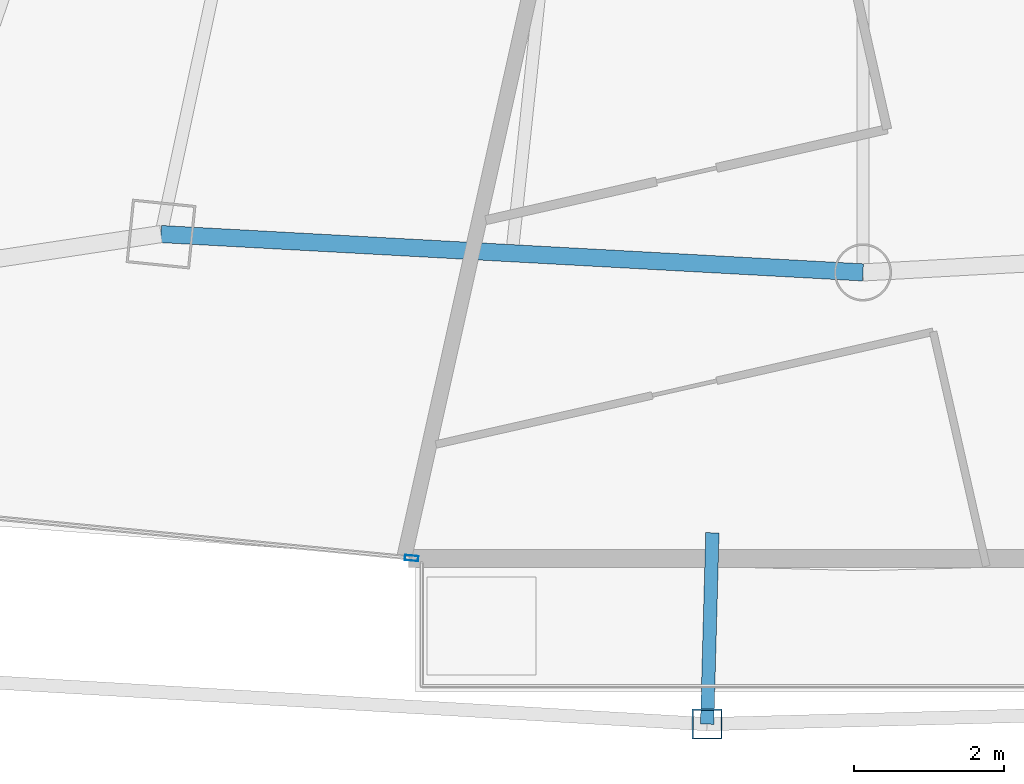
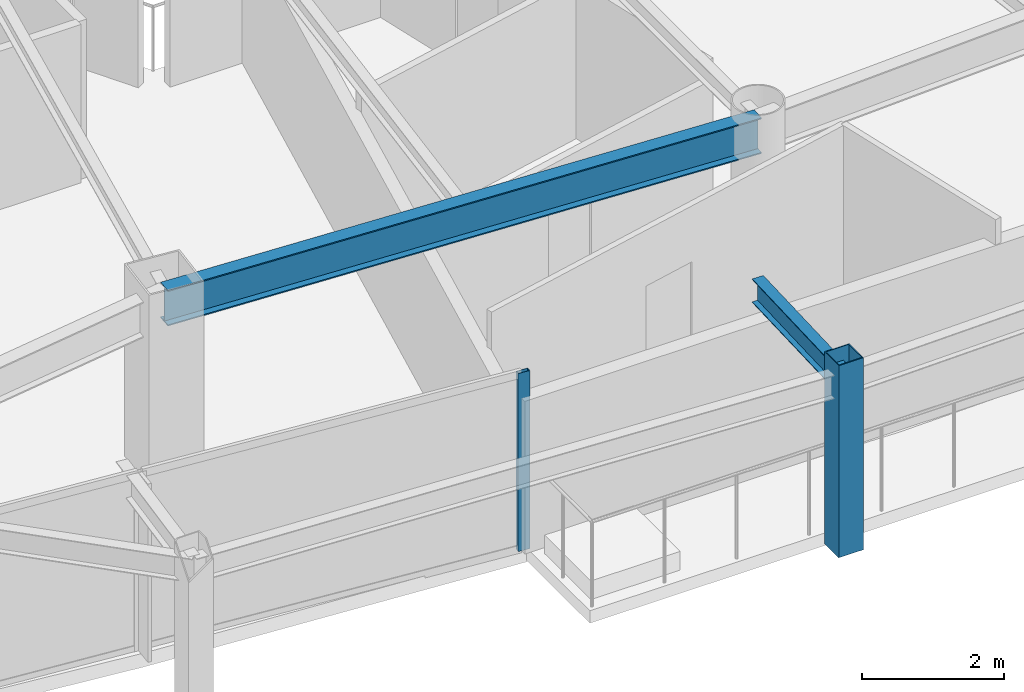
# One storey, part 7 of 33: 2 beams, 2 members, 1 element without a shape of its own.
"""IFC4 building model written with IfcOpenShell, lengths in metres."""

from ifc_helpers import new_model, si_unit, direction, frame, origin, origin_2d, place, context, subcontext, project, spatial, hollow_rectangle, i_section, extrude, material, layer, layer_set, material_profile, profile_set, type_object, element, aggregate, save


model = new_model("IFC4")

# Units and contexts
model_context = context("Model", 3, precision=1e-05, world=origin(), true_north=direction((0.0, 1.0)))
body_context = subcontext(model_context, "Body", "Model", "MODEL_VIEW")
ifc_project = project(units=[si_unit("LENGTHUNIT", "METRE"), si_unit("AREAUNIT", "SQUARE_METRE"), si_unit("VOLUMEUNIT", "CUBIC_METRE"), si_unit("PLANEANGLEUNIT", "RADIAN"), si_unit("MASSUNIT", "GRAM", prefix="KILO")], contexts=[model_context])

# Site, building, storey
site_placement = place(None, origin())
site = spatial("IfcSite", under=ifc_project, at=site_placement, CompositionType="ELEMENT")
building_placement = place(site_placement, origin())
building = spatial("IfcBuilding", under=site, at=building_placement, Name="Orvanel Arch Residences", CompositionType="ELEMENT")
storey_placement = place(building_placement, frame((0.0, 0.0, 119.89990234375)))
storey = spatial("IfcBuildingStorey", under=building, at=storey_placement, Name="L33", CompositionType="ELEMENT", Elevation=119.89990234375)

# Curtain wall, member
ifc_material_1 = material(Name="Bronze-anodised aluminium AA6063-T6", Category="aluminium")
ifc_layer = layer(ifc_material_1, 0.179931640625)
ifc_layer_set = layer_set([ifc_layer], Name="Bronze-anodised aluminium AA6063-T6")
curtain_wall_type = type_object("IfcCurtainWallType", Name="CW3-MID-SYS", PredefinedType="NOTDEFINED", material=ifc_layer_set)
curtain_wall_placement = place(storey_placement, origin())
curtain_wall = element("IfcCurtainWall", 1, at=curtain_wall_placement, inside=storey, type_object=curtain_wall_type, Name="L33 CW3-MID-SYS Unitised Curtain Wall", PredefinedType="NOTDEFINED")
ifc_material_profile_1 = material_profile(ifc_material_1, hollow_rectangle(XDim=0.070068359375, YDim=0.179931640625, WallThickness=0.00439453125, at=origin_2d()), Name="ALU180x70x4.5")
ifc_profile_set_1 = profile_set([ifc_material_profile_1], Name="Bronze-anodised aluminium AA6063-T6")
member_type_1 = type_object("IfcMemberType", Name="MUL-180x70", PredefinedType="MULLION", material=ifc_profile_set_1)
member_1_placement = place(storey_placement, frame((26.986083984375, 3.038330078125, 0.0), z_axis=(0.0, 0.0, 1.0), x_axis=(0.09620902607, 0.995361152197, 0.0)))
member_1 = element("IfcMember", 2, at=member_1_placement, type_object=member_type_1, Name="CW-S3 mullion 3", PredefinedType="MULLION", context=body_context, shape_type="SweptSolid", body=[
    extrude(hollow_rectangle(XDim=0.070068359375, YDim=0.179931640625, WallThickness=0.00439453125, at=origin_2d()), origin(), (0.0, 0.0, 1.0), 3.06005859375),
])
aggregate(curtain_wall, [member_1])

# Beams
ifc_material_2 = material(Name="Structural steel AS/NZS 3679.1 Grade 300 (300 MPa)", Category="steel")
ifc_material_profile_2 = material_profile(ifc_material_2, i_section(OverallWidth=0.177978515625, OverallDepth=0.406005859375, WebThickness=0.0078125, FlangeThickness=0.0126953125, at=origin_2d()), Name="410UB59.7")
ifc_profile_set_2 = profile_set([ifc_material_profile_2], Name="Structural steel AS/NZS 3679.1 Grade 300 (300 MPa)")
beam_type_1 = type_object("IfcBeamType", Name="OB-410UB-EXT", PredefinedType="SPANDREL", material=ifc_profile_set_2)
beam_1_placement = place(storey_placement, frame((30.993896484375, 3.375, 2.857177734375), z_axis=(-0.027381741619, -0.999625049819, 0.0), x_axis=(0.999625049819, -0.027381741619, 0.0)))
element("IfcBeam", 3, at=beam_1_placement, inside=storey, type_object=beam_type_1, Name="L33 Outer Frame Radial Tie Beam 06", PredefinedType="SPANDREL", context=body_context, shape_type="SweptSolid", body=[
    extrude(i_section(OverallWidth=0.177978515625, OverallDepth=0.406005859375, WebThickness=0.0078125, FlangeThickness=0.0126953125, at=origin_2d()), origin(), (0.0, 0.0, 1.0), 2.550048828125),
])
ifc_material_profile_3 = material_profile(ifc_material_2, i_section(OverallWidth=0.22900390625, OverallDepth=0.612060546875, WebThickness=0.011962890625, FlangeThickness=0.01953125, at=origin_2d()), Name="610UB125")
ifc_profile_set_3 = profile_set([ifc_material_profile_3], Name="Structural steel AS/NZS 3679.1 Grade 300 (300 MPa)")
beam_type_2 = type_object("IfcBeamType", Name="SP-610UB", PredefinedType="SPANDREL", material=ifc_profile_set_3)
beam_2_placement = place(storey_placement, frame((23.64892578125, 7.35498046875, 2.754150390625), z_axis=(0.998510315598, -0.054563262768, 0.0), x_axis=(0.054563262768, 0.998510315598, 0.0)))
element("IfcBeam", 4, at=beam_2_placement, inside=storey, type_object=beam_type_2, Name="L33 Perimeter Spandrel Beam 05", PredefinedType="SPANDREL", context=body_context, shape_type="SweptSolid", body=[
    extrude(i_section(OverallWidth=0.22900390625, OverallDepth=0.612060546875, WebThickness=0.011962890625, FlangeThickness=0.01953125, at=origin_2d()), origin(), (0.0, 0.0, 1.0), 9.364990234375),
])

# Member
ifc_material_3 = material(Name="Structural steel AS/NZS 1163 C450L0 (Grade 450)", Category="steel")
ifc_material_profile_4 = material_profile(ifc_material_3, hollow_rectangle(XDim=0.39990234375, YDim=0.39990234375, WallThickness=0.01611328125, at=origin_2d()), Name="SHS400x400x16")
ifc_profile_set_4 = profile_set([ifc_material_profile_4], Name="Structural steel AS/NZS 1163 C450L0 (Grade 450)")
member_type_2 = type_object("IfcMemberType", Name="ST-400SHS-EXT", PredefinedType="STRUT", material=ifc_profile_set_4)
member_2_placement = place(storey_placement, frame((30.924072265625, 0.825927734375, 0.0), z_axis=(0.0, 0.0, 1.0), x_axis=(1.0, 0.0, 0.0)))
element("IfcMember", 5, at=member_2_placement, inside=storey, type_object=member_type_2, Name="L33 Outer Perimeter Frame Post 06", PredefinedType="STRUT", context=body_context, shape_type="SweptSolid", body=[
    extrude(hollow_rectangle(XDim=0.39990234375, YDim=0.39990234375, WallThickness=0.01611328125, at=origin_2d()), origin(), (0.0, 0.0, 1.0), 3.300048828125),
])

save(model, "model.ifc")
